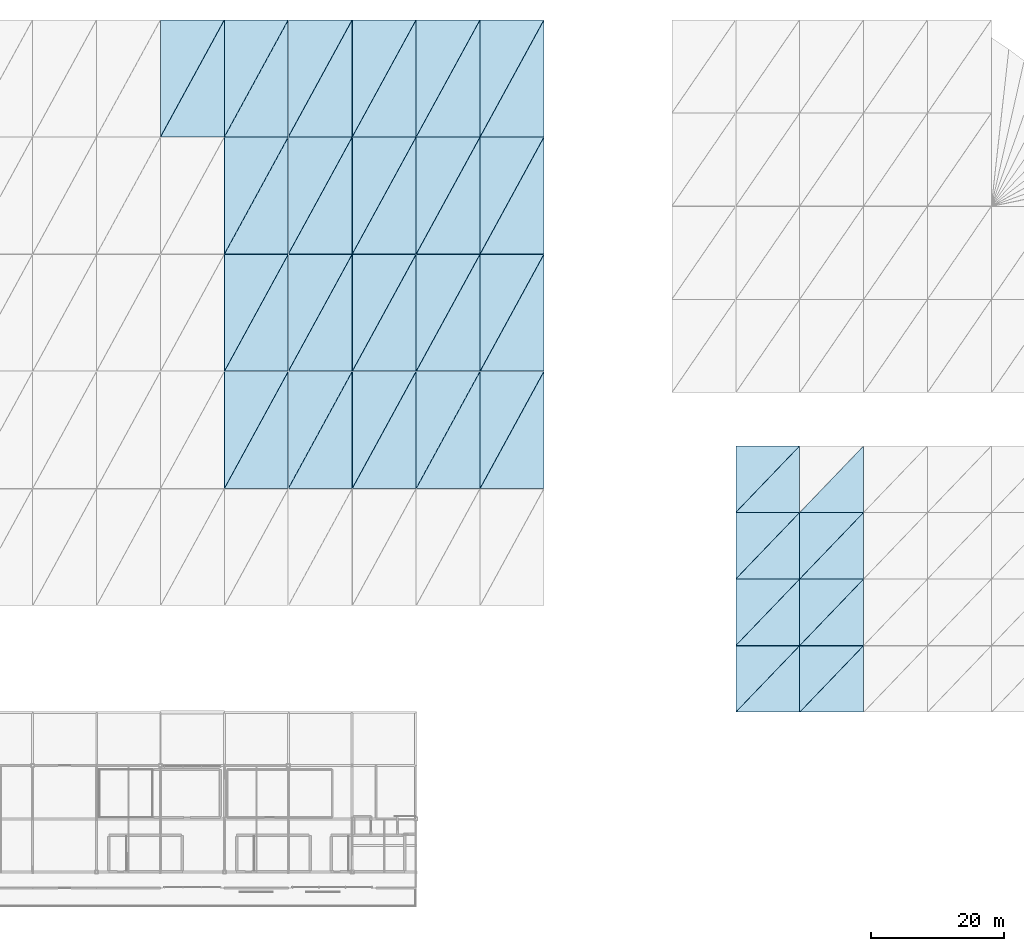
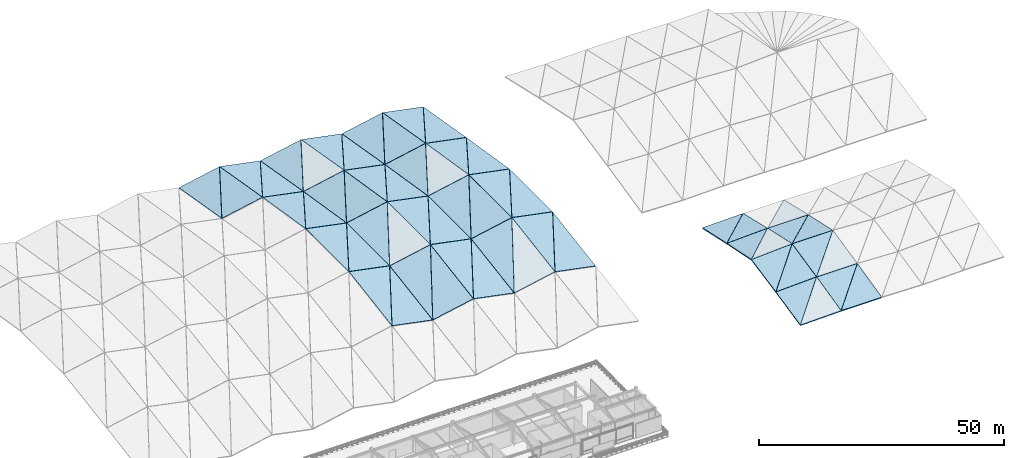
# One storey, part 17 of 26: 57 slabs.
"""IFC4 building model written with IfcOpenShell, lengths in metres."""

from ifc_helpers import new_model, si_unit, direction, frame, origin, place, context, subcontext, project, spatial, polyline, outline, extrude, material, layer, layer_set, type_object, element, save


model = new_model("IFC4")

# Units and contexts
model_context = context("Model", 3, precision=1e-05, world=origin(), true_north=direction((0.0, 1.0)))
body_context = subcontext(model_context, "Body", "Model", "MODEL_VIEW")
ifc_project = project(units=[si_unit("LENGTHUNIT", "METRE"), si_unit("AREAUNIT", "SQUARE_METRE"), si_unit("VOLUMEUNIT", "CUBIC_METRE"), si_unit("PLANEANGLEUNIT", "RADIAN"), si_unit("MASSUNIT", "GRAM", prefix="KILO")], contexts=[model_context])

# Site, building, storey
site_placement = place(None, origin())
site = spatial("IfcSite", under=ifc_project, at=site_placement, CompositionType="ELEMENT")
building_placement = place(site_placement, origin())
building = spatial("IfcBuilding", under=site, at=building_placement, Name="Danafjord Basin Convention Centre", CompositionType="ELEMENT")
storey_placement = place(building_placement, frame((0.0, 0.0, 29.39990234375)))
storey = spatial("IfcBuildingStorey", under=building, at=storey_placement, Name="RF", CompositionType="ELEMENT", Elevation=29.39990234375)

# Slabs
ifc_material = material(Name="Concrete C35/45", Category="concrete")
ifc_layer_1 = layer(ifc_material, 0.2880859375)
ifc_layer_set_1 = layer_set([ifc_layer_1], Name="Concrete C35/45")
slab_type_1 = type_object("IfcSlabType", Name="SLAB-RF-W130", PredefinedType="ROOF", material=ifc_layer_set_1)
slab_1_placement = place(storey_placement, frame((67.23193359375, 73.62939453125, -0.4697265625), z_axis=(0.193709692152, -0.156174371553, 0.968548460758), x_axis=(0.980580675691, 0.0, -0.196116135138)))
element("IfcSlab", 1, at=slab_1_placement, inside=storey, type_object=slab_type_1, Name="V1 wave-crested roof deck facet A-R 4-2", PredefinedType="ROOF", context=body_context, shape_type="SweptSolid", body=[
    extrude(outline(polyline([(0.0, 0.0), (9.741168870572155, 0.0), (9.187389764368971, 17.729512873858294), (0.0, 0.0)])), origin(), (0.0, 0.0, -1.0), 0.2880859375),
])
slab_2_placement = place(storey_placement, frame((67.216064453125, 73.65869140625, -0.4619140625), z_axis=(0.193709283639, -0.156187545055, 0.968546418197), x_axis=(0.478351578265, 0.876975855779, 0.045750584176)))
element("IfcSlab", 2, at=slab_2_placement, inside=storey, type_object=slab_type_1, Name="V1 wave-crested roof deck facet B-R 4-2", PredefinedType="ROOF", context=body_context, shape_type="SweptSolid", body=[
    extrude(outline(polyline([(0.0, 0.0), (19.968580406435894, 4.163336342344337e-16), (15.486767130450868, 8.648914424608925), (0.0, 0.0)])), origin(), (0.0, 0.0, -1.0), 0.2880859375),
])
slab_3_placement = place(storey_placement, frame((67.23193359375, 126.42919921875, -0.4794921875), z_axis=(0.193411953597, 0.165490849742, 0.967059767986), x_axis=(0.980580675691, 0.0, -0.196116135138)))
element("IfcSlab", 3, at=slab_3_placement, inside=storey, type_object=slab_type_1, Name="V1 wave-crested roof deck facet A-R 4-5", PredefinedType="ROOF", context=body_context, shape_type="SweptSolid", body=[
    extrude(outline(polyline([(0.0, 0.0), (9.741168870572155, 5.551115123125783e-17), (10.328894837081238, 17.75705325773643), (0.0, 0.0)])), origin(), (0.0, 0.0, -1.0), 0.2880859375),
])
slab_4_placement = place(storey_placement, frame((67.216064453125, 126.458740234375, -0.481201171875), z_axis=(0.193411879749, 0.165493093722, 0.967059398746), x_axis=(0.464989436789, 0.852478653328, -0.238882752191)))
element("IfcSlab", 4, at=slab_4_placement, inside=storey, type_object=slab_type_1, Name="V1 wave-crested roof deck facet B-R 4-5", PredefinedType="ROOF", context=body_context, shape_type="SweptSolid", body=[
    extrude(outline(polyline([(0.0, 0.0), (20.54240633739963, 1.942890293094024e-15), (15.644464625906561, 8.420245718256705), (0.0, 0.0)])), origin(), (0.0, 0.0, -1.0), 0.2880859375),
])
slab_5_placement = place(storey_placement, frame((76.83203125, 73.62939453125, -2.376953125), z_axis=(-0.193709692152, -0.156174371553, 0.968548460758), x_axis=(0.980580675691, 0.0, 0.196116135138)))
element("IfcSlab", 5, at=slab_5_placement, inside=storey, type_object=slab_type_1, Name="V1 wave-crested roof deck facet A-L 5-2", PredefinedType="ROOF", context=body_context, shape_type="SweptSolid", body=[
    extrude(outline(polyline([(0.0, 0.0), (9.741168870572155, 0.0), (10.294947976775337, 17.72951287385829), (0.0, 0.0)])), origin(), (0.0, 0.0, -1.0), 0.2880859375),
])
slab_6_placement = place(storey_placement, frame((76.81591796875, 73.65869140625, -2.37548828125), z_axis=(-0.193709283639, -0.156187545055, 0.968546418197), x_axis=(0.465910356256, 0.854167001761, 0.230924821176)))
element("IfcSlab", 6, at=slab_6_placement, inside=storey, type_object=slab_type_1, Name="V1 wave-crested roof deck facet B-L 5-2", PredefinedType="ROOF", context=body_context, shape_type="SweptSolid", body=[
    extrude(outline(polyline([(0.0, 0.0), (20.501802170437504, -6.106226635438361e-16), (15.610266668915834, 8.423968862855391), (0.0, 0.0)])), origin(), (0.0, 0.0, -1.0), 0.2880859375),
])
slab_7_placement = place(storey_placement, frame((86.431884765625, 108.829345703125, 2.35888671875), z_axis=(0.193709283639, 0.156187545055, 0.968546418197), x_axis=(0.980580675691, 0.0, -0.196116135138)))
element("IfcSlab", 7, at=slab_7_placement, inside=storey, type_object=slab_type_1, Name="V1 wave-crested roof deck facet A-R 5-4", PredefinedType="ROOF", context=body_context, shape_type="SweptSolid", body=[
    extrude(outline(polyline([(0.0, 0.0), (9.741168870572155, 0.0), (10.294995856691143, 17.72955026351397), (0.0, 0.0)])), origin(), (0.0, 0.0, -1.0), 0.2880859375),
])
slab_8_placement = place(storey_placement, frame((86.416015625, 108.858642578125, 2.357177734375), z_axis=(0.193709692152, 0.156174371553, 0.968548460758), x_axis=(0.465911637441, 0.854169350594, -0.230913547901)))
element("IfcSlab", 8, at=slab_8_placement, inside=storey, type_object=slab_type_1, Name="V1 wave-crested roof deck facet B-R 5-4", PredefinedType="ROOF", context=body_context, shape_type="SweptSolid", body=[
    extrude(outline(polyline([(0.0, 0.0), (20.501745793683465, 8.326672684688674e-16), (15.6102195907578, 8.423974262252681), (0.0, 0.0)])), origin(), (0.0, 0.0, -1.0), 0.2880859375),
])
slab_9_placement = place(storey_placement, frame((76.83203125, 126.42919921875, -2.38671875), z_axis=(-0.193411953597, 0.165490849742, 0.967059767986), x_axis=(0.980580675691, 0.0, 0.196116135138)))
element("IfcSlab", 9, at=slab_9_placement, inside=storey, type_object=slab_type_1, Name="V1 wave-crested roof deck facet A-L 5-5", PredefinedType="ROOF", context=body_context, shape_type="SweptSolid", body=[
    extrude(outline(polyline([(0.0, 0.0), (9.741168870572155, -5.551115123125783e-17), (9.15344290406307, 17.757053257736434), (0.0, 0.0)])), origin(), (0.0, 0.0, -1.0), 0.2880859375),
])
slab_10_placement = place(storey_placement, frame((76.81591796875, 126.458740234375, -2.39501953125), z_axis=(-0.193412311273, 0.165479980801, 0.967061556367), x_axis=(0.478144670195, 0.8765965252, -0.054371006714)))
element("IfcSlab", 10, at=slab_10_placement, inside=storey, type_object=slab_type_1, Name="V1 wave-crested roof deck facet B-L 5-5", PredefinedType="ROOF", context=body_context, shape_type="SweptSolid", body=[
    extrude(outline(polyline([(0.0, 0.0), (19.97722143221028, 1.6653345369377348e-16), (15.513853001093139, 8.658447505939554), (0.0, 0.0)])), origin(), (0.0, 0.0, -1.0), 0.2880859375),
])
slab_11_placement = place(storey_placement, frame((105.632080078125, 91.229248046875, 2.363525390625), z_axis=(0.196116135138, 0.0, 0.980580675691), x_axis=(0.980580675691, 0.0, -0.196116135138)))
element("IfcSlab", 11, at=slab_11_placement, inside=storey, type_object=slab_type_1, Name="V1 wave-crested roof deck facet A-R 6-3", PredefinedType="ROOF", context=body_context, shape_type="SweptSolid", body=[
    extrude(outline(polyline([(0.0, 0.0), (9.741168870572155, 0.0), (9.741168870572155, 17.511962890625), (0.0, 0.0)])), origin(), (0.0, 0.0, -1.0), 0.2880859375),
])
slab_12_placement = place(storey_placement, frame((105.615966796875, 91.2587890625, 2.36669921875), z_axis=(0.196116135138, 0.0, 0.980580675691), x_axis=(0.476671958525, 0.873896560077, -0.095334391705)))
element("IfcSlab", 12, at=slab_12_placement, inside=storey, type_object=slab_type_1, Name="V1 wave-crested roof deck facet B-R 6-3", PredefinedType="ROOF", context=body_context, shape_type="SweptSolid", body=[
    extrude(outline(polyline([(0.0, 0.0), (20.038942468294856, 4.440892098500626e-16), (15.303644130314332, 8.512773967122754), (0.0, 0.0)])), origin(), (0.0, 0.0, -1.0), 0.2880859375),
])
slab_13_placement = place(storey_placement, frame((96.031982421875, 108.829345703125, 0.45166015625), z_axis=(-0.193709283639, 0.156187545055, 0.968546418197), x_axis=(0.980580675691, 0.0, 0.196116135138)))
element("IfcSlab", 13, at=slab_13_placement, inside=storey, type_object=slab_type_1, Name="V1 wave-crested roof deck facet A-L 6-4", PredefinedType="ROOF", context=body_context, shape_type="SweptSolid", body=[
    extrude(outline(polyline([(0.0, 0.0), (9.741168870572155, 0.0), (9.187341884453167, 17.72955026351397), (0.0, 0.0)])), origin(), (0.0, 0.0, -1.0), 0.2880859375),
])
slab_14_placement = place(storey_placement, frame((96.01611328125, 108.858642578125, 0.443603515625), z_axis=(-0.193709692152, 0.156174371553, 0.968548460758), x_axis=(0.478351845799, 0.876976346257, -0.045738383518)))
element("IfcSlab", 14, at=slab_14_placement, inside=storey, type_object=slab_type_1, Name="V1 wave-crested roof deck facet B-L 6-4", PredefinedType="ROOF", context=body_context, shape_type="SweptSolid", body=[
    extrude(outline(polyline([(0.0, 0.0), (19.968569238349023, 5.273559366969494e-16), (15.48673009873705, 8.648901022190403), (0.0, 0.0)])), origin(), (0.0, 0.0, -1.0), 0.2880859375),
])
slab_15_placement = place(storey_placement, frame((144.031982421875, 50.0166015625, -4.61083984375), z_axis=(-0.040045139897, -0.213242590044, 0.976178254502), x_axis=(0.999159643304, 0.0, 0.040987890799)))
element("IfcSlab", 15, at=slab_15_placement, inside=storey, type_object=slab_type_1, Name="V3 wave-crested roof deck facet A 1-2", PredefinedType="ROOF", context=body_context, shape_type="SweptSolid", body=[
    extrude(outline(polyline([(0.0, 0.0), (9.56003579321549, 0.0), (9.64912641620909, 10.184444852564283), (0.0, 0.0)])), origin(), (0.0, 0.0, -1.0), 0.2880859375),
])
slab_16_placement = place(storey_placement, frame((144.01611328125, 50.033203125, -4.608154296875), z_axis=(-0.057356707218, -0.197289232757, 0.978666013906), x_axis=(0.68084611815, 0.709228482845, 0.182875702381)))
element("IfcSlab", 16, at=slab_16_placement, inside=storey, type_object=slab_type_1, Name="V3 wave-crested roof deck facet B 1-2", PredefinedType="ROOF", context=body_context, shape_type="SweptSolid", body=[
    extrude(outline(polyline([(0.0, 0.0), (14.029604779241872, 4.163336342344337e-16), (7.423784867577846, 6.922230625246066), (0.0, 0.0)])), origin(), (0.0, 0.0, -1.0), 0.2880859375),
])
slab_17_placement = place(storey_placement, frame((144.031982421875, 70.0166015625, -4.618408203125), z_axis=(-0.039875613224, 0.228819922031, 0.972651725312), x_axis=(0.999160688834, 0.0, 0.040962396036)))
element("IfcSlab", 17, at=slab_17_placement, inside=storey, type_object=slab_type_1, Name="V3 wave-crested roof deck facet A 1-4", PredefinedType="ROOF", context=body_context, shape_type="SweptSolid", body=[
    extrude(outline(polyline([(0.0, 0.0), (9.560025789518367, 1.3877787807814457e-17), (9.464140180829762, 10.221381141624454), (0.0, 0.0)])), origin(), (0.0, 0.0, -1.0), 0.2880859375),
])
slab_18_placement = place(storey_placement, frame((144.01611328125, 70.033203125, -4.622802734375), z_axis=(-0.022891973403, 0.213312101847, 0.976715877192), x_axis=(0.685711454369, 0.714296639853, -0.13992895212)))
element("IfcSlab", 18, at=slab_18_placement, inside=storey, type_object=slab_type_1, Name="V3 wave-crested roof deck facet B 1-4", PredefinedType="ROOF", context=body_context, shape_type="SweptSolid", body=[
    extrude(outline(polyline([(0.0, 0.0), (13.930060366156079, 7.216449660063518e-16), (7.411470082197626, 6.985616859843291), (0.0, 0.0)])), origin(), (0.0, 0.0, -1.0), 0.2880859375),
])
slab_19_placement = place(storey_placement, frame((153.632080078125, 40.0166015625, -6.571044921875), z_axis=(0.0, -0.229024690002, 0.973420613799), x_axis=(1.0, 0.0, 0.0)))
element("IfcSlab", 19, at=slab_19_placement, inside=storey, type_object=slab_type_1, Name="V3 wave-crested roof deck facet A 2-1", PredefinedType="ROOF", context=body_context, shape_type="SweptSolid", body=[
    extrude(outline(polyline([(0.0, 0.0), (9.552001953125, 0.0), (9.552001953125, 10.221886789168742), (0.0, 0.0)])), origin(), (0.0, 0.0, -1.0), 0.2880859375),
])
slab_20_placement = place(storey_placement, frame((153.615966796875, 40.033203125, -6.567138671875), z_axis=(0.0, -0.229024690002, 0.973420613799), x_axis=(0.682760274284, 0.711222434216, 0.167335163453)))
element("IfcSlab", 20, at=slab_20_placement, inside=storey, type_object=slab_type_1, Name="V3 wave-crested roof deck facet B 2-1", PredefinedType="ROOF", context=body_context, shape_type="SweptSolid", body=[
    extrude(outline(polyline([(0.0, 0.0), (13.99027200747313, -4.440892098500626e-16), (7.468544533999699, 6.979098227869104), (0.0, 0.0)])), origin(), (0.0, 0.0, -1.0), 0.2880859375),
])
slab_21_placement = place(storey_placement, frame((153.632080078125, 60.0166015625, -2.041015625), z_axis=(0.0, 0.213436654327, 0.976956905185), x_axis=(1.0, 0.0, 0.0)))
element("IfcSlab", 21, at=slab_21_placement, inside=storey, type_object=slab_type_1, Name="V3 wave-crested roof deck facet A 2-3", PredefinedType="ROOF", context=body_context, shape_type="SweptSolid", body=[
    extrude(outline(polyline([(0.0, 0.0), (9.552001953125, 0.0), (9.552001953125, 10.184886620573545), (0.0, 0.0)])), origin(), (0.0, 0.0, -1.0), 0.2880859375),
])
slab_22_placement = place(storey_placement, frame((153.615966796875, 60.033203125, -2.044677734375), z_axis=(0.0, 0.213436654327, 0.976956905185), x_axis=(0.684081030701, 0.712598248876, -0.155681980763)))
element("IfcSlab", 22, at=slab_22_placement, inside=storey, type_object=slab_type_1, Name="V3 wave-crested roof deck facet B 2-3", PredefinedType="ROOF", context=body_context, shape_type="SweptSolid", body=[
    extrude(outline(polyline([(0.0, 0.0), (13.963260965349098, 1.4432899320127035e-15), (7.428917623996049, 6.967287736976199), (0.0, 0.0)])), origin(), (0.0, 0.0, -1.0), 0.2880859375),
])
ifc_layer_2 = layer(ifc_material, 0.27490234375)
ifc_layer_set_2 = layer_set([ifc_layer_2], Name="Concrete C35/45")
slab_type_2 = type_object("IfcSlabType", Name="SLAB-RF-W145", PredefinedType="ROOF", material=ifc_layer_set_2)
slab_23_placement = place(storey_placement, frame((67.23193359375, 108.829345703125, 2.35888671875), z_axis=(0.193709283639, 0.156187545055, 0.968546418197), x_axis=(0.980580675691, 0.0, -0.196116135138)))
element("IfcSlab", 23, at=slab_23_placement, inside=storey, type_object=slab_type_2, Name="V1 wave-crested roof deck facet A-R 4-4", PredefinedType="ROOF", context=body_context, shape_type="SweptSolid", body=[
    extrude(outline(polyline([(0.0, 0.0), (9.741168870572155, 0.0), (10.294995856691143, 17.72955026351397), (0.0, 0.0)])), origin(), (0.0, 0.0, -1.0), 0.27490234375),
])
slab_24_placement = place(storey_placement, frame((67.216064453125, 108.858642578125, 2.357177734375), z_axis=(0.193709692152, 0.156174371553, 0.968548460758), x_axis=(0.465911637441, 0.854169350594, -0.230913547901)))
element("IfcSlab", 24, at=slab_24_placement, inside=storey, type_object=slab_type_2, Name="V1 wave-crested roof deck facet B-R 4-4", PredefinedType="ROOF", context=body_context, shape_type="SweptSolid", body=[
    extrude(outline(polyline([(0.0, 0.0), (20.501745793683465, 8.326672684688674e-16), (15.6102195907578, 8.423974262252681), (0.0, 0.0)])), origin(), (0.0, 0.0, -1.0), 0.27490234375),
])
slab_25_placement = place(storey_placement, frame((57.632080078125, 126.42919921875, -2.38671875), z_axis=(-0.193411953597, 0.165490849742, 0.967059767986), x_axis=(0.980580675691, 0.0, 0.196116135138)))
element("IfcSlab", 25, at=slab_25_placement, inside=storey, type_object=slab_type_2, Name="V1 wave-crested roof deck facet A-L 4-5", PredefinedType="ROOF", context=body_context, shape_type="SweptSolid", body=[
    extrude(outline(polyline([(0.0, 0.0), (9.741168870572155, -5.551115123125783e-17), (9.15344290406307, 17.757053257736434), (0.0, 0.0)])), origin(), (0.0, 0.0, -1.0), 0.27490234375),
])
slab_26_placement = place(storey_placement, frame((57.615966796875, 126.458740234375, -2.39501953125), z_axis=(-0.193412311273, 0.165479980801, 0.967061556367), x_axis=(0.478144670195, 0.8765965252, -0.054371006714)))
element("IfcSlab", 26, at=slab_26_placement, inside=storey, type_object=slab_type_2, Name="V1 wave-crested roof deck facet B-L 4-5", PredefinedType="ROOF", context=body_context, shape_type="SweptSolid", body=[
    extrude(outline(polyline([(0.0, 0.0), (19.97722143221028, 1.6653345369377348e-16), (15.513853001093139, 8.658447505939554), (0.0, 0.0)])), origin(), (0.0, 0.0, -1.0), 0.27490234375),
])
slab_27_placement = place(storey_placement, frame((86.431884765625, 91.229248046875, 2.363525390625), z_axis=(0.196116135138, 0.0, 0.980580675691), x_axis=(0.980580675691, 0.0, -0.196116135138)))
element("IfcSlab", 27, at=slab_27_placement, inside=storey, type_object=slab_type_2, Name="V1 wave-crested roof deck facet A-R 5-3", PredefinedType="ROOF", context=body_context, shape_type="SweptSolid", body=[
    extrude(outline(polyline([(0.0, 0.0), (9.741168870572155, 0.0), (9.741168870572155, 17.511962890625), (0.0, 0.0)])), origin(), (0.0, 0.0, -1.0), 0.27490234375),
])
slab_28_placement = place(storey_placement, frame((86.416015625, 91.2587890625, 2.36669921875), z_axis=(0.196116135138, 0.0, 0.980580675691), x_axis=(0.476671958525, 0.873896560077, -0.095334391705)))
element("IfcSlab", 28, at=slab_28_placement, inside=storey, type_object=slab_type_2, Name="V1 wave-crested roof deck facet B-R 5-3", PredefinedType="ROOF", context=body_context, shape_type="SweptSolid", body=[
    extrude(outline(polyline([(0.0, 0.0), (20.038942468294856, 4.440892098500626e-16), (15.303644130314332, 8.512773967122754), (0.0, 0.0)])), origin(), (0.0, 0.0, -1.0), 0.27490234375),
])
slab_29_placement = place(storey_placement, frame((76.83203125, 108.829345703125, 0.45166015625), z_axis=(-0.193709283639, 0.156187545055, 0.968546418197), x_axis=(0.980580675691, 0.0, 0.196116135138)))
element("IfcSlab", 29, at=slab_29_placement, inside=storey, type_object=slab_type_2, Name="V1 wave-crested roof deck facet A-L 5-4", PredefinedType="ROOF", context=body_context, shape_type="SweptSolid", body=[
    extrude(outline(polyline([(0.0, 0.0), (9.741168870572155, 0.0), (9.187341884453167, 17.72955026351397), (0.0, 0.0)])), origin(), (0.0, 0.0, -1.0), 0.27490234375),
])
slab_30_placement = place(storey_placement, frame((76.81591796875, 108.858642578125, 0.443603515625), z_axis=(-0.193709692152, 0.156174371553, 0.968548460758), x_axis=(0.478351845799, 0.876976346257, -0.045738383518)))
element("IfcSlab", 30, at=slab_30_placement, inside=storey, type_object=slab_type_2, Name="V1 wave-crested roof deck facet B-L 5-4", PredefinedType="ROOF", context=body_context, shape_type="SweptSolid", body=[
    extrude(outline(polyline([(0.0, 0.0), (19.968569238349023, 5.273559366969494e-16), (15.48673009873705, 8.648901022190403), (0.0, 0.0)])), origin(), (0.0, 0.0, -1.0), 0.27490234375),
])
slab_31_placement = place(storey_placement, frame((105.632080078125, 73.62939453125, -0.4697265625), z_axis=(0.193709692152, -0.156174371553, 0.968548460758), x_axis=(0.980580675691, 0.0, -0.196116135138)))
element("IfcSlab", 31, at=slab_31_placement, inside=storey, type_object=slab_type_2, Name="V1 wave-crested roof deck facet A-R 6-2", PredefinedType="ROOF", context=body_context, shape_type="SweptSolid", body=[
    extrude(outline(polyline([(0.0, 0.0), (9.741168870572155, 0.0), (9.187389764368971, 17.729512873858294), (0.0, 0.0)])), origin(), (0.0, 0.0, -1.0), 0.27490234375),
])
slab_32_placement = place(storey_placement, frame((105.615966796875, 73.65869140625, -0.4619140625), z_axis=(0.193709283639, -0.156187545055, 0.968546418197), x_axis=(0.478351578265, 0.876975855779, 0.045750584176)))
element("IfcSlab", 32, at=slab_32_placement, inside=storey, type_object=slab_type_2, Name="V1 wave-crested roof deck facet B-R 6-2", PredefinedType="ROOF", context=body_context, shape_type="SweptSolid", body=[
    extrude(outline(polyline([(0.0, 0.0), (19.968580406435894, 4.163336342344337e-16), (15.486767130450868, 8.648914424608925), (0.0, 0.0)])), origin(), (0.0, 0.0, -1.0), 0.27490234375),
])
slab_33_placement = place(storey_placement, frame((96.031982421875, 91.229248046875, 0.456298828125), z_axis=(-0.196116135138, 0.0, 0.980580675691), x_axis=(0.980580675691, 0.0, 0.196116135138)))
element("IfcSlab", 33, at=slab_33_placement, inside=storey, type_object=slab_type_2, Name="V1 wave-crested roof deck facet A-L 6-3", PredefinedType="ROOF", context=body_context, shape_type="SweptSolid", body=[
    extrude(outline(polyline([(0.0, 0.0), (9.741168870572155, 0.0), (9.741168870572155, 17.511962890625), (0.0, 0.0)])), origin(), (0.0, 0.0, -1.0), 0.27490234375),
])
slab_34_placement = place(storey_placement, frame((96.01611328125, 91.2587890625, 0.453125), z_axis=(-0.196116135138, 0.0, 0.980580675691), x_axis=(0.476671958525, 0.873896560077, 0.095334391705)))
element("IfcSlab", 34, at=slab_34_placement, inside=storey, type_object=slab_type_2, Name="V1 wave-crested roof deck facet B-L 6-3", PredefinedType="ROOF", context=body_context, shape_type="SweptSolid", body=[
    extrude(outline(polyline([(0.0, 0.0), (20.038942468294856, 4.440892098500626e-16), (15.303644130314332, 8.512773967122754), (0.0, 0.0)])), origin(), (0.0, 0.0, -1.0), 0.27490234375),
])
slab_35_placement = place(storey_placement, frame((105.632080078125, 126.42919921875, -0.4794921875), z_axis=(0.193411953597, 0.165490849742, 0.967059767986), x_axis=(0.980580675691, 0.0, -0.196116135138)))
element("IfcSlab", 35, at=slab_35_placement, inside=storey, type_object=slab_type_2, Name="V1 wave-crested roof deck facet A-R 6-5", PredefinedType="ROOF", context=body_context, shape_type="SweptSolid", body=[
    extrude(outline(polyline([(0.0, 0.0), (9.741168870572155, 5.551115123125783e-17), (10.328894837081238, 17.75705325773643), (0.0, 0.0)])), origin(), (0.0, 0.0, -1.0), 0.27490234375),
])
slab_36_placement = place(storey_placement, frame((105.615966796875, 126.458740234375, -0.481201171875), z_axis=(0.193411879749, 0.165493093722, 0.967059398746), x_axis=(0.464989436789, 0.852478653328, -0.238882752191)))
element("IfcSlab", 36, at=slab_36_placement, inside=storey, type_object=slab_type_2, Name="V1 wave-crested roof deck facet B-R 6-5", PredefinedType="ROOF", context=body_context, shape_type="SweptSolid", body=[
    extrude(outline(polyline([(0.0, 0.0), (20.54240633739963, 1.942890293094024e-15), (15.644464625906561, 8.420245718256705), (0.0, 0.0)])), origin(), (0.0, 0.0, -1.0), 0.27490234375),
])
slab_37_placement = place(storey_placement, frame((144.031982421875, 40.0166015625, -6.795166015625), z_axis=(-0.022808804649, -0.22896510817, 0.973167373925), x_axis=(0.999725450225, 0.0, 0.023431264865)))
element("IfcSlab", 37, at=slab_37_placement, inside=storey, type_object=slab_type_2, Name="V3 wave-crested roof deck facet A 1-1", PredefinedType="ROOF", context=body_context, shape_type="SweptSolid", body=[
    extrude(outline(polyline([(0.0, 0.0), (9.554625173320217, 6.938893903907228e-18), (9.609479274588193, 10.221739605280334), (0.0, 0.0)])), origin(), (0.0, 0.0, -1.0), 0.27490234375),
])
slab_38_placement = place(storey_placement, frame((144.01611328125, 40.033203125, -6.7919921875), z_axis=(-0.040045548922, -0.213196864096, 0.976188225268), x_axis=(0.680852617427, 0.709235253057, 0.182825242139)))
element("IfcSlab", 38, at=slab_38_placement, inside=storey, type_object=slab_type_2, Name="V3 wave-crested roof deck facet B 1-1", PredefinedType="ROOF", context=body_context, shape_type="SweptSolid", body=[
    extrude(outline(polyline([(0.0, 0.0), (14.029470855556047, 2.220446049250313e-16), (7.454326038545472, 6.9398670738639), (0.0, 0.0)])), origin(), (0.0, 0.0, -1.0), 0.27490234375),
])
slab_39_placement = place(storey_placement, frame((144.031982421875, 60.0166015625, -2.601806640625), z_axis=(-0.057162919173, 0.213087656264, 0.975359447291), x_axis=(0.998287019617, 0.0, 0.058506636063)))
element("IfcSlab", 39, at=slab_39_placement, inside=storey, type_object=slab_type_2, Name="V3 wave-crested roof deck facet A 1-3", PredefinedType="ROOF", context=body_context, shape_type="SweptSolid", body=[
    extrude(outline(polyline([(0.0, 0.0), (9.568392421636535, 1.3877787807814457e-17), (9.441209050662659, 10.184092490943202), (0.0, 0.0)])), origin(), (0.0, 0.0, -1.0), 0.27490234375),
])
slab_40_placement = place(storey_placement, frame((144.01611328125, 60.033203125, -2.60595703125), z_axis=(-0.040155925049, 0.197455165068, 0.97948913188), x_axis=(0.68783021911, 0.71650372933, -0.116241109489)))
element("IfcSlab", 40, at=slab_40_placement, inside=storey, type_object=slab_type_2, Name="V3 wave-crested roof deck facet B 1-3", PredefinedType="ROOF", context=body_context, shape_type="SweptSolid", body=[
    extrude(outline(polyline([(0.0, 0.0), (13.88715076445194, 3.3306690738754696e-16), (7.36251536819851, 6.987361880009731), (0.0, 0.0)])), origin(), (0.0, 0.0, -1.0), 0.27490234375),
])
slab_41_placement = place(storey_placement, frame((153.632080078125, 50.0166015625, -4.218505859375), z_axis=(0.0, -0.213436654327, 0.976956905185), x_axis=(1.0, 0.0, 0.0)))
element("IfcSlab", 41, at=slab_41_placement, inside=storey, type_object=slab_type_2, Name="V3 wave-crested roof deck facet A 2-2", PredefinedType="ROOF", context=body_context, shape_type="SweptSolid", body=[
    extrude(outline(polyline([(0.0, 0.0), (9.552001953125, 0.0), (9.552001953125, 10.184886620573545), (0.0, 0.0)])), origin(), (0.0, 0.0, -1.0), 0.27490234375),
])
slab_42_placement = place(storey_placement, frame((153.615966796875, 50.033203125, -4.21484375), z_axis=(0.0, -0.213436654327, 0.976956905185), x_axis=(0.684081030701, 0.712598248876, 0.155681980763)))
element("IfcSlab", 42, at=slab_42_placement, inside=storey, type_object=slab_type_2, Name="V3 wave-crested roof deck facet B 2-2", PredefinedType="ROOF", context=body_context, shape_type="SweptSolid", body=[
    extrude(outline(polyline([(0.0, 0.0), (13.963260965349098, 1.4432899320127035e-15), (7.428917623996049, 6.967287736976199), (0.0, 0.0)])), origin(), (0.0, 0.0, -1.0), 0.27490234375),
])
slab_43_placement = place(storey_placement, frame((153.632080078125, 70.0166015625, -4.22607421875), z_axis=(0.0, 0.229024690002, 0.973420613799), x_axis=(1.0, 0.0, 0.0)))
element("IfcSlab", 43, at=slab_43_placement, inside=storey, type_object=slab_type_2, Name="V3 wave-crested roof deck facet A 2-4", PredefinedType="ROOF", context=body_context, shape_type="SweptSolid", body=[
    extrude(outline(polyline([(0.0, 0.0), (9.552001953125, 0.0), (9.552001953125, 10.221886789168742), (0.0, 0.0)])), origin(), (0.0, 0.0, -1.0), 0.27490234375),
])
ifc_layer_3 = layer(ifc_material, 0.264892578125)
ifc_layer_set_3 = layer_set([ifc_layer_3], Name="Concrete C35/45")
slab_type_3 = type_object("IfcSlabType", Name="SLAB-RF-W160", PredefinedType="ROOF", material=ifc_layer_set_3)
slab_44_placement = place(storey_placement, frame((67.23193359375, 91.229248046875, 2.363525390625), z_axis=(0.196116135138, 0.0, 0.980580675691), x_axis=(0.980580675691, 0.0, -0.196116135138)))
element("IfcSlab", 44, at=slab_44_placement, inside=storey, type_object=slab_type_3, Name="V1 wave-crested roof deck facet A-R 4-3", PredefinedType="ROOF", context=body_context, shape_type="SweptSolid", body=[
    extrude(outline(polyline([(0.0, 0.0), (9.741168870572155, 0.0), (9.741168870572155, 17.511962890625), (0.0, 0.0)])), origin(), (0.0, 0.0, -1.0), 0.264892578125),
])
slab_45_placement = place(storey_placement, frame((67.216064453125, 91.2587890625, 2.36669921875), z_axis=(0.196116135138, 0.0, 0.980580675691), x_axis=(0.476671958525, 0.873896560077, -0.095334391705)))
element("IfcSlab", 45, at=slab_45_placement, inside=storey, type_object=slab_type_3, Name="V1 wave-crested roof deck facet B-R 4-3", PredefinedType="ROOF", context=body_context, shape_type="SweptSolid", body=[
    extrude(outline(polyline([(0.0, 0.0), (20.038942468294856, 4.440892098500626e-16), (15.303644130314332, 8.512773967122754), (0.0, 0.0)])), origin(), (0.0, 0.0, -1.0), 0.264892578125),
])
slab_46_placement = place(storey_placement, frame((86.431884765625, 73.62939453125, -0.4697265625), z_axis=(0.193709692152, -0.156174371553, 0.968548460758), x_axis=(0.980580675691, 0.0, -0.196116135138)))
element("IfcSlab", 46, at=slab_46_placement, inside=storey, type_object=slab_type_3, Name="V1 wave-crested roof deck facet A-R 5-2", PredefinedType="ROOF", context=body_context, shape_type="SweptSolid", body=[
    extrude(outline(polyline([(0.0, 0.0), (9.741168870572155, 0.0), (9.187389764368971, 17.729512873858294), (0.0, 0.0)])), origin(), (0.0, 0.0, -1.0), 0.264892578125),
])
slab_47_placement = place(storey_placement, frame((86.416015625, 73.65869140625, -0.4619140625), z_axis=(0.193709283639, -0.156187545055, 0.968546418197), x_axis=(0.478351578265, 0.876975855779, 0.045750584176)))
element("IfcSlab", 47, at=slab_47_placement, inside=storey, type_object=slab_type_3, Name="V1 wave-crested roof deck facet B-R 5-2", PredefinedType="ROOF", context=body_context, shape_type="SweptSolid", body=[
    extrude(outline(polyline([(0.0, 0.0), (19.968580406435894, 4.163336342344337e-16), (15.486767130450868, 8.648914424608925), (0.0, 0.0)])), origin(), (0.0, 0.0, -1.0), 0.264892578125),
])
slab_48_placement = place(storey_placement, frame((76.83203125, 91.229248046875, 0.456298828125), z_axis=(-0.196116135138, 0.0, 0.980580675691), x_axis=(0.980580675691, 0.0, 0.196116135138)))
element("IfcSlab", 48, at=slab_48_placement, inside=storey, type_object=slab_type_3, Name="V1 wave-crested roof deck facet A-L 5-3", PredefinedType="ROOF", context=body_context, shape_type="SweptSolid", body=[
    extrude(outline(polyline([(0.0, 0.0), (9.741168870572155, 0.0), (9.741168870572155, 17.511962890625), (0.0, 0.0)])), origin(), (0.0, 0.0, -1.0), 0.264892578125),
])
slab_49_placement = place(storey_placement, frame((76.81591796875, 91.2587890625, 0.453125), z_axis=(-0.196116135138, 0.0, 0.980580675691), x_axis=(0.476671958525, 0.873896560077, 0.095334391705)))
element("IfcSlab", 49, at=slab_49_placement, inside=storey, type_object=slab_type_3, Name="V1 wave-crested roof deck facet B-L 5-3", PredefinedType="ROOF", context=body_context, shape_type="SweptSolid", body=[
    extrude(outline(polyline([(0.0, 0.0), (20.038942468294856, 4.440892098500626e-16), (15.303644130314332, 8.512773967122754), (0.0, 0.0)])), origin(), (0.0, 0.0, -1.0), 0.264892578125),
])
slab_50_placement = place(storey_placement, frame((86.431884765625, 126.42919921875, -0.4794921875), z_axis=(0.193411953597, 0.165490849742, 0.967059767986), x_axis=(0.980580675691, 0.0, -0.196116135138)))
element("IfcSlab", 50, at=slab_50_placement, inside=storey, type_object=slab_type_3, Name="V1 wave-crested roof deck facet A-R 5-5", PredefinedType="ROOF", context=body_context, shape_type="SweptSolid", body=[
    extrude(outline(polyline([(0.0, 0.0), (9.741168870572155, 5.551115123125783e-17), (10.328894837081238, 17.75705325773643), (0.0, 0.0)])), origin(), (0.0, 0.0, -1.0), 0.264892578125),
])
slab_51_placement = place(storey_placement, frame((86.416015625, 126.458740234375, -0.481201171875), z_axis=(0.193411879749, 0.165493093722, 0.967059398746), x_axis=(0.464989436789, 0.852478653328, -0.238882752191)))
element("IfcSlab", 51, at=slab_51_placement, inside=storey, type_object=slab_type_3, Name="V1 wave-crested roof deck facet B-R 5-5", PredefinedType="ROOF", context=body_context, shape_type="SweptSolid", body=[
    extrude(outline(polyline([(0.0, 0.0), (20.54240633739963, 1.942890293094024e-15), (15.644464625906561, 8.420245718256705), (0.0, 0.0)])), origin(), (0.0, 0.0, -1.0), 0.264892578125),
])
slab_52_placement = place(storey_placement, frame((96.031982421875, 73.62939453125, -2.376953125), z_axis=(-0.193709692152, -0.156174371553, 0.968548460758), x_axis=(0.980580675691, 0.0, 0.196116135138)))
element("IfcSlab", 52, at=slab_52_placement, inside=storey, type_object=slab_type_3, Name="V1 wave-crested roof deck facet A-L 6-2", PredefinedType="ROOF", context=body_context, shape_type="SweptSolid", body=[
    extrude(outline(polyline([(0.0, 0.0), (9.741168870572155, 0.0), (10.294947976775337, 17.72951287385829), (0.0, 0.0)])), origin(), (0.0, 0.0, -1.0), 0.264892578125),
])
slab_53_placement = place(storey_placement, frame((96.01611328125, 73.65869140625, -2.37548828125), z_axis=(-0.193709283639, -0.156187545055, 0.968546418197), x_axis=(0.465910356256, 0.854167001761, 0.230924821176)))
element("IfcSlab", 53, at=slab_53_placement, inside=storey, type_object=slab_type_3, Name="V1 wave-crested roof deck facet B-L 6-2", PredefinedType="ROOF", context=body_context, shape_type="SweptSolid", body=[
    extrude(outline(polyline([(0.0, 0.0), (20.501802170437504, -6.106226635438361e-16), (15.610266668915834, 8.423968862855391), (0.0, 0.0)])), origin(), (0.0, 0.0, -1.0), 0.264892578125),
])
slab_54_placement = place(storey_placement, frame((105.632080078125, 108.829345703125, 2.35888671875), z_axis=(0.193709283639, 0.156187545055, 0.968546418197), x_axis=(0.980580675691, 0.0, -0.196116135138)))
element("IfcSlab", 54, at=slab_54_placement, inside=storey, type_object=slab_type_3, Name="V1 wave-crested roof deck facet A-R 6-4", PredefinedType="ROOF", context=body_context, shape_type="SweptSolid", body=[
    extrude(outline(polyline([(0.0, 0.0), (9.741168870572155, 0.0), (10.294995856691143, 17.72955026351397), (0.0, 0.0)])), origin(), (0.0, 0.0, -1.0), 0.264892578125),
])
slab_55_placement = place(storey_placement, frame((105.615966796875, 108.858642578125, 2.357177734375), z_axis=(0.193709692152, 0.156174371553, 0.968548460758), x_axis=(0.465911637441, 0.854169350594, -0.230913547901)))
element("IfcSlab", 55, at=slab_55_placement, inside=storey, type_object=slab_type_3, Name="V1 wave-crested roof deck facet B-R 6-4", PredefinedType="ROOF", context=body_context, shape_type="SweptSolid", body=[
    extrude(outline(polyline([(0.0, 0.0), (20.501745793683465, 8.326672684688674e-16), (15.6102195907578, 8.423974262252681), (0.0, 0.0)])), origin(), (0.0, 0.0, -1.0), 0.264892578125),
])
slab_56_placement = place(storey_placement, frame((96.031982421875, 126.42919921875, -2.38671875), z_axis=(-0.193411953597, 0.165490849742, 0.967059767986), x_axis=(0.980580675691, 0.0, 0.196116135138)))
element("IfcSlab", 56, at=slab_56_placement, inside=storey, type_object=slab_type_3, Name="V1 wave-crested roof deck facet A-L 6-5", PredefinedType="ROOF", context=body_context, shape_type="SweptSolid", body=[
    extrude(outline(polyline([(0.0, 0.0), (9.741168870572155, -5.551115123125783e-17), (9.15344290406307, 17.757053257736434), (0.0, 0.0)])), origin(), (0.0, 0.0, -1.0), 0.264892578125),
])
slab_57_placement = place(storey_placement, frame((96.01611328125, 126.458740234375, -2.39501953125), z_axis=(-0.193412311273, 0.165479980801, 0.967061556367), x_axis=(0.478144670195, 0.8765965252, -0.054371006714)))
element("IfcSlab", 57, at=slab_57_placement, inside=storey, type_object=slab_type_3, Name="V1 wave-crested roof deck facet B-L 6-5", PredefinedType="ROOF", context=body_context, shape_type="SweptSolid", body=[
    extrude(outline(polyline([(0.0, 0.0), (19.97722143221028, 1.6653345369377348e-16), (15.513853001093139, 8.658447505939554), (0.0, 0.0)])), origin(), (0.0, 0.0, -1.0), 0.264892578125),
])

save(model, "model.ifc")
